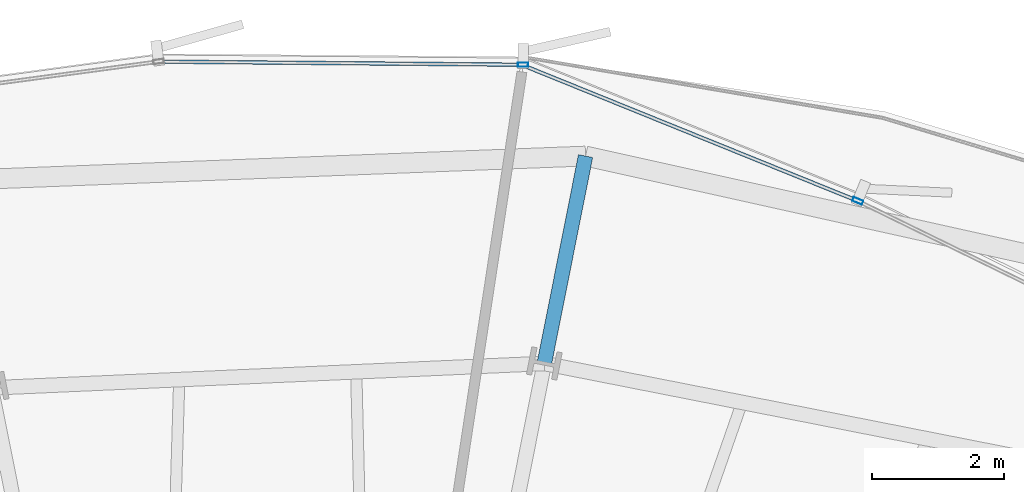
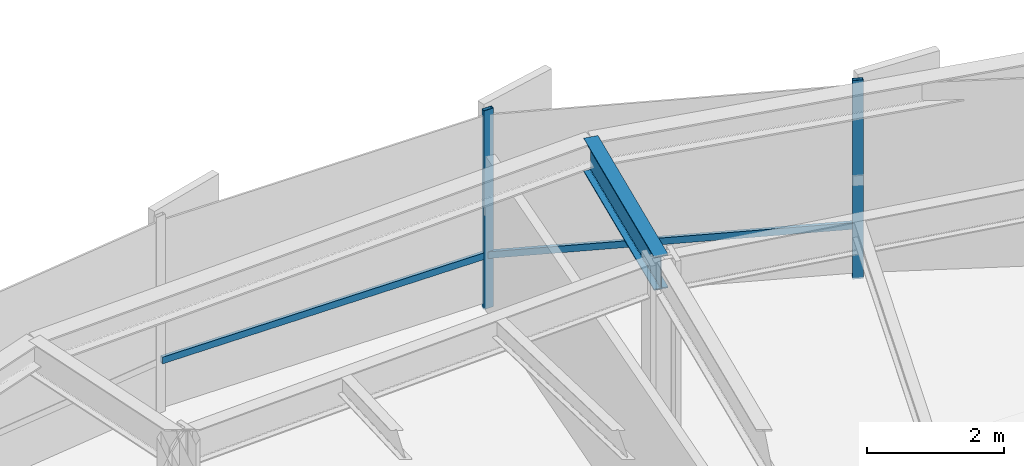
# One storey, part 28 of 39: 4 members, 1 beam, 1 element without a shape of its own.
"""IFC4 building model written with IfcOpenShell, lengths in metres."""

from ifc_helpers import new_model, si_unit, direction, frame, origin, origin_2d, place, context, subcontext, project, spatial, hollow_rectangle, i_section, extrude, source, transform, mapped, material, layer, layer_set, material_profile, profile_set, type_object, element, aggregate, save


model = new_model("IFC4")

# Units and contexts
model_context = context("Model", 3, precision=1e-05, world=origin(), true_north=direction((0.0, 1.0)))
body_context = subcontext(model_context, "Body", "Model", "MODEL_VIEW")
ifc_project = project(units=[si_unit("LENGTHUNIT", "METRE"), si_unit("AREAUNIT", "SQUARE_METRE"), si_unit("VOLUMEUNIT", "CUBIC_METRE"), si_unit("PLANEANGLEUNIT", "RADIAN"), si_unit("MASSUNIT", "GRAM", prefix="KILO"), si_unit("THERMODYNAMICTEMPERATUREUNIT", "KELVIN")], contexts=[model_context])

# Site, building, storey
site_placement = place(None, origin())
site = spatial("IfcSite", under=ifc_project, at=site_placement, CompositionType="ELEMENT")
building_placement = place(site_placement, origin())
building = spatial("IfcBuilding", under=site, at=building_placement, Name="Kethvar Cultural Tower", CompositionType="ELEMENT")
storey_placement = place(building_placement, frame((0.0, 0.0, 44.800048828125)))
storey = spatial("IfcBuildingStorey", under=building, at=storey_placement, Name="L10", CompositionType="ELEMENT", Elevation=44.800048828125)

# Beam
ifc_material_1 = material(Name="Steel S355J2", Category="steel")
ifc_material_profile_1 = material_profile(ifc_material_1, i_section(OverallWidth=0.219970703125, OverallDepth=0.60009765625, WebThickness=0.011962890625, FlangeThickness=0.01904296875, FilletRadius=0.02392578125, at=origin_2d()), Name="Steel S355J2 — IPE600")
ifc_profile_set_1 = profile_set([ifc_material_profile_1], Name="Steel S355J2 — IPE600")
beam_type = type_object("IfcBeamType", Name="BM-IPE600", PredefinedType="BEAM", material=ifc_profile_set_1)
shared_shape_1 = source(origin(), body_context, "Body", "SweptSolid", [
    extrude(i_section(OverallWidth=0.219970703125, OverallDepth=0.60009765625, WebThickness=0.011962890625, FlangeThickness=0.01904296875, FilletRadius=0.02392578125, at=origin_2d()), origin(), (0.0, 0.0, 1.0), 3.199951171875),
])
beam_placement = place(storey_placement, frame((51.022216796875, 49.02587890625, 3.248046875), z_axis=(0.195088965533, 0.980785550224, 0.0), x_axis=(-0.980785550224, 0.195088965533, 0.0)))
element("IfcBeam", 1, at=beam_placement, inside=storey, type_object=beam_type, Name="L10 Perimeter Cantilever Beam RC-04", PredefinedType="BEAM", context=body_context, shape_type="MappedRepresentation", body=[
    mapped(shared_shape_1, transform((0.0, 0.0, 0.0), scale=1.0)),
])

# Curtain wall, members
ifc_material_2 = material(Name="Aluminium 6063-T6", Category="aluminium")
ifc_layer = layer(ifc_material_2, 0.179931640625, Name="Aluminium 6063-T6", Category="aluminium")
ifc_layer_set = layer_set([ifc_layer], Name="Aluminium 6063-T6 (180 mm)")
curtain_wall_type = type_object("IfcCurtainWallType", Name="CW-SYS-02-Z1", PredefinedType="NOTDEFINED", material=ifc_layer_set)
curtain_wall_placement = place(storey_placement, origin())
curtain_wall = element("IfcCurtainWall", 2, at=curtain_wall_placement, inside=storey, type_object=curtain_wall_type, Name="L10 Curtain Wall Run 02", PredefinedType="NOTDEFINED")
ifc_material_profile_2 = material_profile(ifc_material_2, hollow_rectangle(XDim=0.06494140625, YDim=0.159912109375, WallThickness=0.0048828125, at=origin_2d()), Name="Aluminium 6063-T6 — RHS160x65x5")
ifc_profile_set_2 = profile_set([ifc_material_profile_2], Name="Aluminium 6063-T6 — RHS160x65x5")
member_type_1 = type_object("IfcMemberType", Name="CW-SYS-02-Z1-MUL", PredefinedType="MULLION", material=ifc_profile_set_2)
shared_shape_2 = source(origin(), body_context, "Body", "SweptSolid", [
    extrude(hollow_rectangle(XDim=0.06494140625, YDim=0.159912109375, WallThickness=0.0048828125, at=origin_2d()), origin(), (0.0, 0.0, 1.0), 3.550048828125),
])
member_1_placement = place(storey_placement, frame((55.76513671875, 51.486083984375, 0.0), z_axis=(0.0, 0.0, 1.0), x_axis=(-0.375383217598, -0.926869699551, 0.0)))
member_1 = element("IfcMember", 3, at=member_1_placement, type_object=member_type_1, Name="CW-L10-R02 Mullion 3", PredefinedType="MULLION", context=body_context, shape_type="MappedRepresentation", body=[
    mapped(shared_shape_2, transform((0.0, 0.0, 0.0), scale=1.0)),
])
member_2_placement = place(storey_placement, frame((50.7001953125, 53.54638671875, 0.0), z_axis=(0.0, 0.0, 1.0), x_axis=(-0.008552009087, -0.999963430902, 0.0)))
member_2 = element("IfcMember", 4, at=member_2_placement, type_object=member_type_1, Name="CW-L10-R02 Mullion 4", PredefinedType="MULLION", context=body_context, shape_type="MappedRepresentation", body=[
    mapped(shared_shape_2, transform((0.0, 0.0, 0.0), scale=1.0)),
])
ifc_material_profile_3 = material_profile(ifc_material_2, hollow_rectangle(XDim=0.054931640625, YDim=0.1201171875, WallThickness=0.00390625, at=origin_2d()), Name="Aluminium 6063-T6 — RHS120x55x4")
ifc_profile_set_3 = profile_set([ifc_material_profile_3], Name="Aluminium 6063-T6 — RHS120x55x4")
member_type_2 = type_object("IfcMemberType", Name="CW-SYS-02-Z1-TRN", PredefinedType="USERDEFINED", material=ifc_profile_set_3)
shared_shape_3 = source(origin(), body_context, "Body", "SweptSolid", [
    extrude(hollow_rectangle(XDim=0.054931640625, YDim=0.1201171875, WallThickness=0.00390625, at=origin_2d()), origin(), (0.0, 0.0, 1.0), 5.41845703125),
])
member_3_placement = place(storey_placement, frame((55.7216796875, 51.50341796875, 0.949951171875), z_axis=(-0.926858364269, 0.375411204661, 0.0), x_axis=(-0.375411204661, -0.926858364269, 0.0)))
member_3 = element("IfcMember", 5, at=member_3_placement, type_object=member_type_2, Name="CW-L10-R02 Transom 3", ObjectType="TRANSOM", PredefinedType="USERDEFINED", context=body_context, shape_type="MappedRepresentation", body=[
    mapped(shared_shape_3, transform((0.0, 0.0, 0.0), scale=1.0)),
])
shared_shape_4 = source(origin(), body_context, "Body", "SweptSolid", [
    extrude(hollow_rectangle(XDim=0.054931640625, YDim=0.1201171875, WallThickness=0.00390625, at=origin_2d()), origin(), (0.0, 0.0, 1.0), 5.438232421875),
])
member_4_placement = place(storey_placement, frame((50.6533203125, 53.546875, 0.949951171875), z_axis=(-0.999963620471, 0.008529814487, 0.0), x_axis=(-0.008529814487, -0.999963620471, 0.0)))
member_4 = element("IfcMember", 6, at=member_4_placement, type_object=member_type_2, Name="CW-L10-R02 Transom 4", ObjectType="TRANSOM", PredefinedType="USERDEFINED", context=body_context, shape_type="MappedRepresentation", body=[
    mapped(shared_shape_4, transform((0.0, 0.0, 0.0), scale=1.0)),
])
aggregate(curtain_wall, [member_1, member_2, member_3, member_4])

save(model, "model.ifc")
